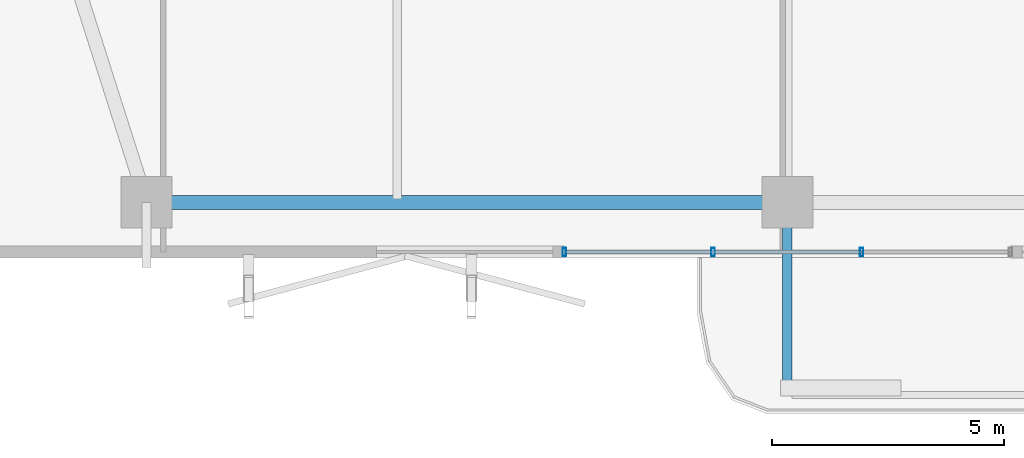
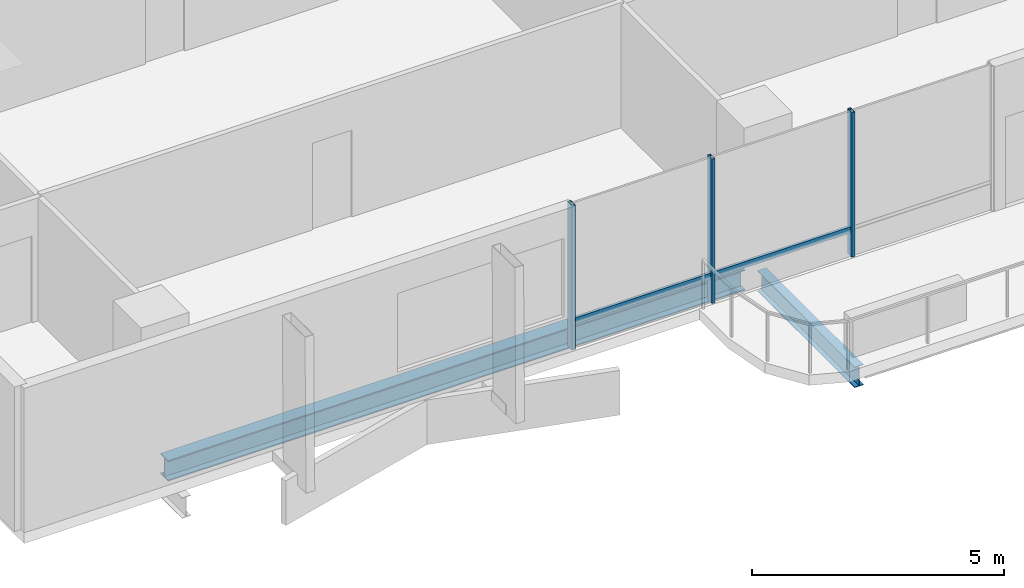
# One storey, part 2 of 24: 5 members, 2 beams, 1 element without a shape of its own.
"""IFC4 building model written with IfcOpenShell, lengths in metres."""

from ifc_helpers import new_model, si_unit, direction, frame, origin, origin_2d, place, context, subcontext, project, spatial, hollow_rectangle, i_section, extrude, material, layer, layer_set, material_profile, profile_set, type_object, element, aggregate, save


model = new_model("IFC4")

# Units and contexts
model_context = context("Model", 3, precision=1e-05, world=origin(), true_north=direction((0.0, 1.0)))
body_context = subcontext(model_context, "Body", "Model", "MODEL_VIEW")
ifc_project = project(units=[si_unit("LENGTHUNIT", "METRE"), si_unit("AREAUNIT", "SQUARE_METRE"), si_unit("VOLUMEUNIT", "CUBIC_METRE"), si_unit("PLANEANGLEUNIT", "RADIAN"), si_unit("MASSUNIT", "GRAM", prefix="KILO")], contexts=[model_context])

# Site, building, storey
site_placement = place(None, origin())
site = spatial("IfcSite", under=ifc_project, at=site_placement, CompositionType="ELEMENT")
building_placement = place(site_placement, origin())
building = spatial("IfcBuilding", under=site, at=building_placement, Name="Belovzor Exchange Tower", CompositionType="ELEMENT")
storey_placement = place(building_placement, frame((0.0, 0.0, 179.550048828125)))
storey = spatial("IfcBuildingStorey", under=building, at=storey_placement, Name="L44", CompositionType="ELEMENT", Elevation=179.550048828125)

# Beam
ifc_material_1 = material(Name="Steel S355", Category="steel")
ifc_material_profile_1 = material_profile(ifc_material_1, i_section(OverallWidth=0.199951171875, OverallDepth=0.5, WebThickness=0.01025390625, FlangeThickness=0.01611328125, at=origin_2d()))
ifc_profile_set_1 = profile_set([ifc_material_profile_1], Name="Steel S355")
beam_type_1 = type_object("IfcBeamType", Name="Planted Balcony Cantilever Beam IPE 500", PredefinedType="BEAM", material=ifc_profile_set_1)
beam_1_placement = place(storey_placement, frame((28.800048828125, 5.39697265625, -0.505126953125), z_axis=(0.0, -1.0, 0.0), x_axis=(1.0, 0.0, 0.0)))
element("IfcBeam", 1, at=beam_1_placement, inside=storey, type_object=beam_type_1, Name="BC-500 Planted Balcony Cantilever Beam IPE 500", PredefinedType="BEAM", context=body_context, shape_type="SweptSolid", body=[
    extrude(i_section(OverallWidth=0.199951171875, OverallDepth=0.5, WebThickness=0.01025390625, FlangeThickness=0.01611328125, at=origin_2d()), origin(), (0.0, 0.0, 1.0), 3.849853515625),
])

# Curtain wall, members
ifc_material_2 = material(Name="Anodised Aluminium Framing", Category="aluminium")
ifc_layer = layer(ifc_material_2, 0.179931640625)
ifc_layer_set = layer_set([ifc_layer], Name="Anodised Aluminium Framing")
curtain_wall_type = type_object("IfcCurtainWallType", Name="Recessed Loggia Low-Iron Triple-Glazed Curtain Wall", PredefinedType="NOTDEFINED", material=ifc_layer_set)
curtain_wall_placement = place(storey_placement, origin())
curtain_wall = element("IfcCurtainWall", 2, at=curtain_wall_placement, inside=storey, type_object=curtain_wall_type, Name="CW3 Recessed Loggia Low-Iron Triple-Glazed Curtain Wall L44", PredefinedType="NOTDEFINED")
ifc_material_3 = material(Name="Steel S355", Category="steel")
ifc_material_profile_2 = material_profile(ifc_material_3, hollow_rectangle(XDim=0.074951171875, YDim=0.179931640625, WallThickness=0.0048828125, at=origin_2d()))
ifc_profile_set_2 = profile_set([ifc_material_profile_2], Name="Steel S355")
member_type_1 = type_object("IfcMemberType", Name="Thermally Broken Curtain Wall Mullion 180x75", PredefinedType="MULLION", material=ifc_profile_set_2)
member_1_placement = place(storey_placement, frame((30.39990234375, 4.6298828125, 0.0), z_axis=(0.0, 0.0, 1.0), x_axis=(-1.0, 0.0, 0.0)))
member_1 = element("IfcMember", 3, at=member_1_placement, type_object=member_type_1, Name="CW-M180 Curtain Wall Mullion 2", PredefinedType="MULLION", context=body_context, shape_type="SweptSolid", body=[
    extrude(hollow_rectangle(XDim=0.074951171875, YDim=0.179931640625, WallThickness=0.0048828125, at=origin_2d()), origin(), (0.0, 0.0, 1.0), 3.494873046875),
])
member_2_placement = place(storey_placement, frame((27.199951171875, 4.6298828125, 0.0), z_axis=(0.0, 0.0, 1.0), x_axis=(-1.0, 0.0, 0.0)))
member_2 = element("IfcMember", 4, at=member_2_placement, type_object=member_type_1, Name="CW-M180 Curtain Wall Mullion 3", PredefinedType="MULLION", context=body_context, shape_type="SweptSolid", body=[
    extrude(hollow_rectangle(XDim=0.074951171875, YDim=0.179931640625, WallThickness=0.0048828125, at=origin_2d()), origin(), (0.0, 0.0, 1.0), 3.494873046875),
])
member_3_placement = place(storey_placement, frame((24.0, 4.6298828125, 0.0), z_axis=(0.0, 0.0, 1.0), x_axis=(-1.0, 0.0, 0.0)))
member_3 = element("IfcMember", 5, at=member_3_placement, type_object=member_type_1, Name="CW-M180 Curtain Wall Mullion 4", PredefinedType="MULLION", context=body_context, shape_type="SweptSolid", body=[
    extrude(hollow_rectangle(XDim=0.074951171875, YDim=0.179931640625, WallThickness=0.0048828125, at=origin_2d()), origin(), (0.0, 0.0, 1.0), 3.494873046875),
])
ifc_material_4 = material(Name="Steel S355", Category="steel")
ifc_material_profile_3 = material_profile(ifc_material_4, hollow_rectangle(XDim=0.06005859375, YDim=0.14990234375, WallThickness=0.00390625, at=origin_2d()))
ifc_profile_set_3 = profile_set([ifc_material_profile_3], Name="Steel S355")
member_type_2 = type_object("IfcMemberType", Name="Thermally Broken Curtain Wall Transom 150x60", PredefinedType="USERDEFINED", material=ifc_profile_set_3)
member_4_placement = place(storey_placement, frame((30.39208984375, 4.6298828125, 0.62890625), z_axis=(-1.0, 0.0, 0.0), x_axis=(0.0, -1.0, 0.0)))
member_4 = element("IfcMember", 6, at=member_4_placement, type_object=member_type_2, Name="CW-T150 Curtain Wall Transom 2", ObjectType="TRANSOM", PredefinedType="USERDEFINED", context=body_context, shape_type="SweptSolid", body=[
    extrude(hollow_rectangle(XDim=0.06005859375, YDim=0.14990234375, WallThickness=0.00390625, at=origin_2d()), origin(), (0.0, 0.0, 1.0), 3.18408203125),
])
member_5_placement = place(storey_placement, frame((27.19189453125, 4.6298828125, 0.62890625), z_axis=(-1.0, 0.0, 0.0), x_axis=(0.0, -1.0, 0.0)))
member_5 = element("IfcMember", 7, at=member_5_placement, type_object=member_type_2, Name="CW-T150 Curtain Wall Transom 3", ObjectType="TRANSOM", PredefinedType="USERDEFINED", context=body_context, shape_type="SweptSolid", body=[
    extrude(hollow_rectangle(XDim=0.06005859375, YDim=0.14990234375, WallThickness=0.00390625, at=origin_2d()), origin(), (0.0, 0.0, 1.0), 3.183837890625),
])
aggregate(curtain_wall, [member_1, member_2, member_3, member_4, member_5])

# Beam
ifc_material_5 = material(Name="Steel S355", Category="steel")
ifc_material_profile_4 = material_profile(ifc_material_5, i_section(OverallWidth=0.300048828125, OverallDepth=0.5, WebThickness=0.014404296875, FlangeThickness=0.028076171875, at=origin_2d()))
ifc_profile_set_4 = profile_set([ifc_material_profile_4], Name="Steel S355")
beam_type_2 = type_object("IfcBeamType", Name="Zone 3 Waist Primary Girder HEB 500", PredefinedType="BEAM", material=ifc_profile_set_4)
beam_2_placement = place(storey_placement, frame((15.302978515625, 5.699951171875, -0.505126953125), z_axis=(1.0, 0.0, 0.0), x_axis=(0.0, 1.0, 0.0)))
element("IfcBeam", 8, at=beam_2_placement, inside=storey, type_object=beam_type_2, Name="FG-Z3 Zone 3 Waist Primary Girder HEB 500", PredefinedType="BEAM", context=body_context, shape_type="SweptSolid", body=[
    extrude(i_section(OverallWidth=0.300048828125, OverallDepth=0.5, WebThickness=0.014404296875, FlangeThickness=0.028076171875, at=origin_2d()), origin(), (0.0, 0.0, 1.0), 13.195068359375),
])

save(model, "model.ifc")
